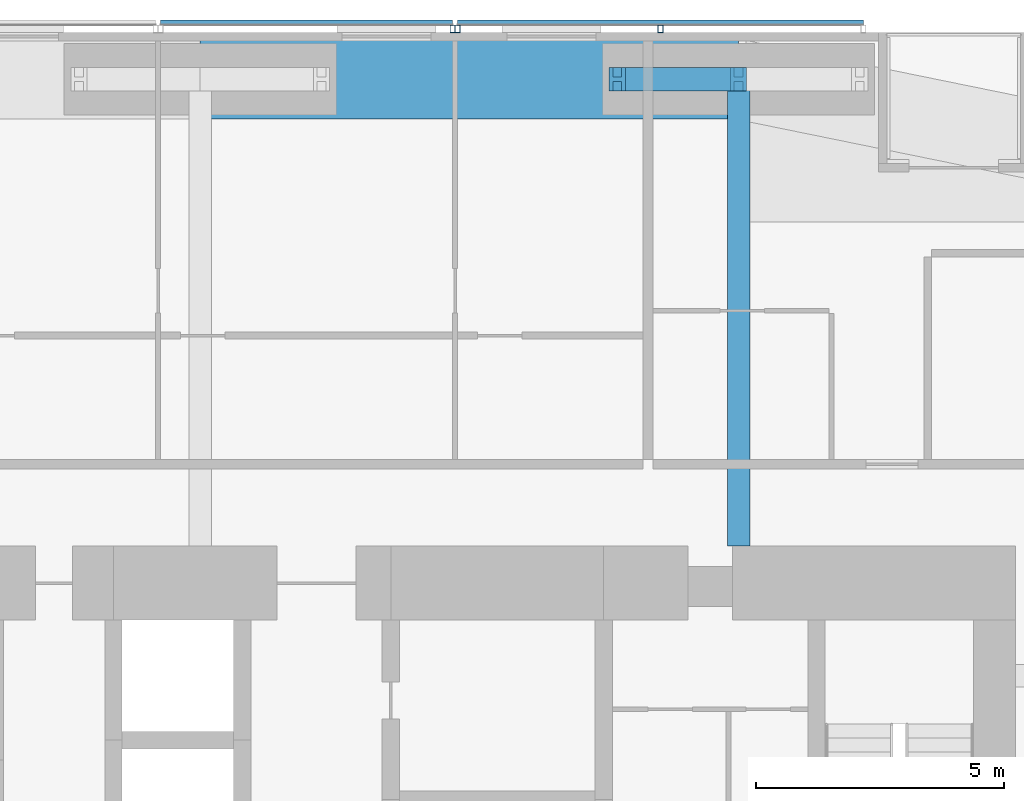
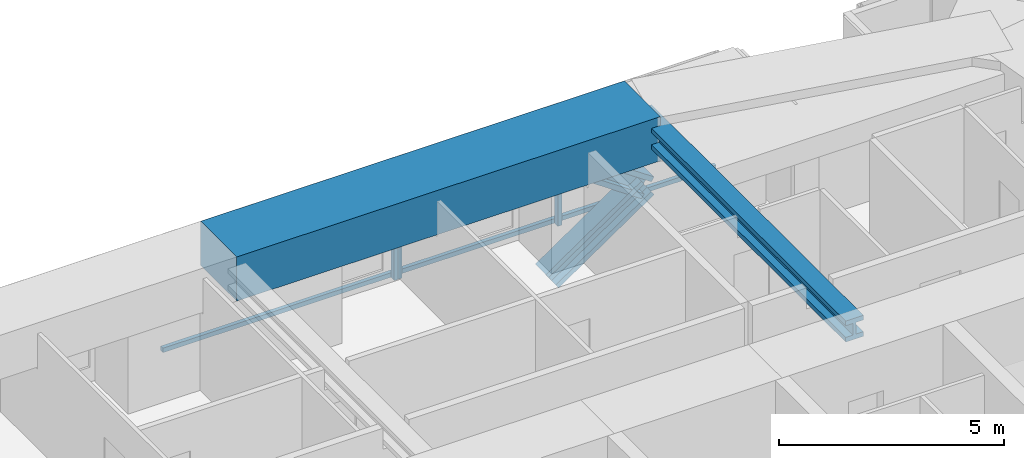
# One storey, part 13 of 23: 7 members, 2 beams, 2 elements without a shape of their own.
"""IFC4 building model written with IfcOpenShell, lengths in metres."""

from ifc_helpers import new_model, si_unit, direction, frame, origin, origin_2d, place, context, subcontext, project, spatial, rectangle, hollow_rectangle, i_section, extrude, material, material_profile, profile_set, type_object, element, aggregate, save


model = new_model("IFC4")

# Units and contexts
model_context = context("Model", 3, precision=1e-05, world=origin(), true_north=direction((0.0, 1.0)))
body_context = subcontext(model_context, "Body", "Model", "MODEL_VIEW")
ifc_project = project(units=[si_unit("LENGTHUNIT", "METRE"), si_unit("AREAUNIT", "SQUARE_METRE"), si_unit("VOLUMEUNIT", "CUBIC_METRE"), si_unit("PLANEANGLEUNIT", "RADIAN"), si_unit("MASSUNIT", "GRAM", prefix="KILO")], contexts=[model_context])

# Site, building, storey
site_placement = place(None, origin())
site = spatial("IfcSite", under=ifc_project, at=site_placement, CompositionType="ELEMENT")
building_placement = place(site_placement, origin())
building = spatial("IfcBuilding", under=site, at=building_placement, Name="Jalousie Tower", CompositionType="ELEMENT")
storey_placement = place(building_placement, frame((0.0, 0.0, 121.60009765625)))
storey = spatial("IfcBuildingStorey", under=building, at=storey_placement, Name="L33", CompositionType="ELEMENT", Elevation=121.60009765625)

# Beam
ifc_material_1 = material(Name="Steel ASTM A992 Grade 50", Category="steel")
ifc_material_profile_1 = material_profile(ifc_material_1, i_section(OverallWidth=0.45458984375, OverallDepth=0.569091796875, WebThickness=0.077880859375, FlangeThickness=0.124755859375, at=origin_2d()), Name="W14X730")
ifc_profile_set_1 = profile_set([ifc_material_profile_1], Name="Steel ASTM A992 Grade 50")
beam_type_1 = type_object("IfcBeamType", Name="LEAN COLLECTOR W14X730", PredefinedType="BEAM", material=ifc_profile_set_1)
beam_1_placement = place(storey_placement, frame((38.625, 37.050048828125, 2.825439453125), z_axis=(0.0, -1.0, 0.0), x_axis=(1.0, 0.0, 0.0)))
element("IfcBeam", 1, at=beam_1_placement, inside=storey, type_object=beam_type_1, Name="Lean collector under L34", PredefinedType="BEAM", context=body_context, shape_type="SweptSolid", body=[
    extrude(i_section(OverallWidth=0.45458984375, OverallDepth=0.569091796875, WebThickness=0.077880859375, FlangeThickness=0.124755859375, at=origin_2d()), origin(), (0.0, 0.0, 1.0), 9.425048828125),
])

# Members
ifc_material_2 = material(Name="Steel ASTM A992 Grade 50", Category="steel")
ifc_material_profile_2 = material_profile(ifc_material_2, i_section(OverallWidth=0.472412109375, OverallDepth=0.5791015625, WebThickness=0.094970703125, FlangeThickness=0.1298828125, at=origin_2d()), Name="W14X808")
ifc_profile_set_2 = profile_set([ifc_material_profile_2], Name="Steel ASTM A992 Grade 50")
member_type_1 = type_object("IfcMemberType", Name="PERIMETER BRACE W14X808", PredefinedType="BRACE", material=ifc_profile_set_2)
for number, where, z_axis, x_axis, name in (
    (2, (36.175048828125, 37.050048828125, -0.60009765625), (0.825500916831, 0.0, 0.564400776321), (0.0, 1.0, 0.0), "Perimeter brace 09 L33 part 1"),
    (3, (38.625, 37.050048828125, 1.074951171875), (-0.825500916831, 0.0, 0.564400776321), (0.0, -1.0, 0.0), "Perimeter brace 09 L33 part 4"),
):
    element("IfcMember", number, at=place(storey_placement, frame(where, z_axis=z_axis, x_axis=x_axis)), inside=storey, type_object=member_type_1, Name=name, PredefinedType="BRACE", context=body_context, shape_type="SweptSolid", body=[
        extrude(i_section(OverallWidth=0.472412109375, OverallDepth=0.5791015625, WebThickness=0.094970703125, FlangeThickness=0.1298828125, at=origin_2d()), origin(), (0.0, 0.0, 1.0), 2.9677734375),
    ])

# Beam
ifc_material_3 = material(Name="Concrete f'c 40 MPa", Category="concrete")
ifc_material_profile_3 = material_profile(ifc_material_3, rectangle(XDim=1.60009765625, YDim=1.199951171875, at=origin_2d()), Name="RC 1600x1200")
ifc_profile_set_3 = profile_set([ifc_material_profile_3], Name="Concrete f'c 40 MPa")
beam_type_2 = type_object("IfcBeamType", Name="RC BEAM 1600x1200", PredefinedType="BEAM", material=ifc_profile_set_3)
beam_2_placement = place(storey_placement, frame((38.625, 37.050048828125, 2.75), z_axis=(-1.0, 0.0, 0.0), x_axis=(0.0, -1.0, 0.0)))
element("IfcBeam", 4, at=beam_2_placement, inside=storey, type_object=beam_type_2, Name="Edge band beam 09-10 under L34", PredefinedType="BEAM", context=body_context, shape_type="SweptSolid", body=[
    extrude(rectangle(XDim=1.60009765625, YDim=1.199951171875, at=origin_2d()), origin(), (0.0, 0.0, 1.0), 10.875),
])

# Curtain wall, members
ifc_material_4 = material(Name="Perforated aluminium sheet", Category="aluminium")
curtain_wall_type = type_object("IfcCurtainWallType", Name="SOLAR SCREEN SS-1", PredefinedType="USERDEFINED", material=ifc_material_4)
curtain_wall_1_placement = place(storey_placement, origin())
curtain_wall_1 = element("IfcCurtainWall", 5, at=curtain_wall_1_placement, inside=storey, type_object=curtain_wall_type, Name="Solar screen L33", ObjectType="SOLAR SCREEN SS-1", PredefinedType="USERDEFINED")
ifc_material_5 = material(Name="Steel ASTM A500 Grade C", Category="steel")
ifc_material_profile_4 = material_profile(ifc_material_5, hollow_rectangle(XDim=0.1015625, YDim=0.15234375, WallThickness=0.00634765625, at=origin_2d()), Name="HSS6X4X1/4")
ifc_profile_set_4 = profile_set([ifc_material_profile_4], Name="Steel ASTM A500 Grade C")
member_type_2 = type_object("IfcMemberType", Name="SOLAR SCREEN SS-1 MULLION", PredefinedType="MULLION", material=ifc_profile_set_4)
member_1_placement = place(storey_placement, frame((37.04931640625, 38.0712890625, -0.1201171875), z_axis=(0.0, 0.0, 1.0), x_axis=(-1.0, 0.0, 0.0)))
member_1 = element("IfcMember", 6, at=member_1_placement, type_object=member_type_2, Name="SS1 post 2", PredefinedType="MULLION", context=body_context, shape_type="SweptSolid", body=[
    extrude(hollow_rectangle(XDim=0.1015625, YDim=0.15234375, WallThickness=0.00634765625, at=origin_2d()), origin(), (0.0, 0.0, 1.0), 3.22998046875),
])
member_2_placement = place(storey_placement, frame((32.949951171875, 38.0712890625, -0.1201171875), z_axis=(0.0, 0.0, 1.0), x_axis=(-1.0, 0.0, 0.0)))
member_2 = element("IfcMember", 7, at=member_2_placement, type_object=member_type_2, Name="SS1 post 3", PredefinedType="MULLION", context=body_context, shape_type="SweptSolid", body=[
    extrude(hollow_rectangle(XDim=0.1015625, YDim=0.15234375, WallThickness=0.00634765625, at=origin_2d()), origin(), (0.0, 0.0, 1.0), 3.22998046875),
])

# Curtain wall, member
curtain_wall_2_placement = place(storey_placement, origin())
curtain_wall_2 = element("IfcCurtainWall", 8, at=curtain_wall_2_placement, inside=storey, type_object=curtain_wall_type, Name="Solar screen L33", ObjectType="SOLAR SCREEN SS-1", PredefinedType="USERDEFINED")
member_3_placement = place(storey_placement, frame((32.85009765625, 38.0712890625, -0.1201171875), z_axis=(0.0, 0.0, 1.0), x_axis=(-1.0, 0.0, 0.0)))
member_3 = element("IfcMember", 9, at=member_3_placement, type_object=member_type_2, Name="SS1 post 1", PredefinedType="MULLION", context=body_context, shape_type="SweptSolid", body=[
    extrude(hollow_rectangle(XDim=0.1015625, YDim=0.15234375, WallThickness=0.00634765625, at=origin_2d()), origin(), (0.0, 0.0, 1.0), 3.22998046875),
])

# Member
ifc_material_6 = material(Name="Extruded aluminium screen rail", Category="aluminium")
ifc_material_profile_5 = material_profile(ifc_material_6, rectangle(XDim=0.1015625, YDim=0.1201171875, at=origin_2d()), Name="RAIL 102x120")
ifc_profile_set_5 = profile_set([ifc_material_profile_5], Name="Extruded aluminium screen rail")
member_type_3 = type_object("IfcMemberType", Name="SOLAR SCREEN SS-1 TRANSOM", PredefinedType="USERDEFINED", material=ifc_profile_set_5)
member_4_placement = place(storey_placement, frame((41.148681640625, 38.1982421875, -0.06005859375), z_axis=(-1.0, 0.0, 0.0), x_axis=(0.0, -1.0, 0.0)))
member_4 = element("IfcMember", 10, at=member_4_placement, type_object=member_type_3, Name="SS1 rail", ObjectType="TRANSOM", PredefinedType="USERDEFINED", context=body_context, shape_type="SweptSolid", body=[
    extrude(rectangle(XDim=0.1015625, YDim=0.1201171875, at=origin_2d()), origin(), (0.0, 0.0, 1.0), 8.19873046875),
])

aggregate(curtain_wall_1, [member_1, member_2, member_4])

member_5_placement = place(storey_placement, frame((32.85009765625, 38.1982421875, -0.06005859375), z_axis=(-1.0, 0.0, 0.0), x_axis=(0.0, -1.0, 0.0)))
member_5 = element("IfcMember", 11, at=member_5_placement, type_object=member_type_3, Name="SS1 rail", ObjectType="TRANSOM", PredefinedType="USERDEFINED", context=body_context, shape_type="SweptSolid", body=[
    extrude(rectangle(XDim=0.1015625, YDim=0.1201171875, at=origin_2d()), origin(), (0.0, 0.0, 1.0), 5.900146484375),
])

aggregate(curtain_wall_2, [member_3, member_5])

save(model, "model.ifc")
